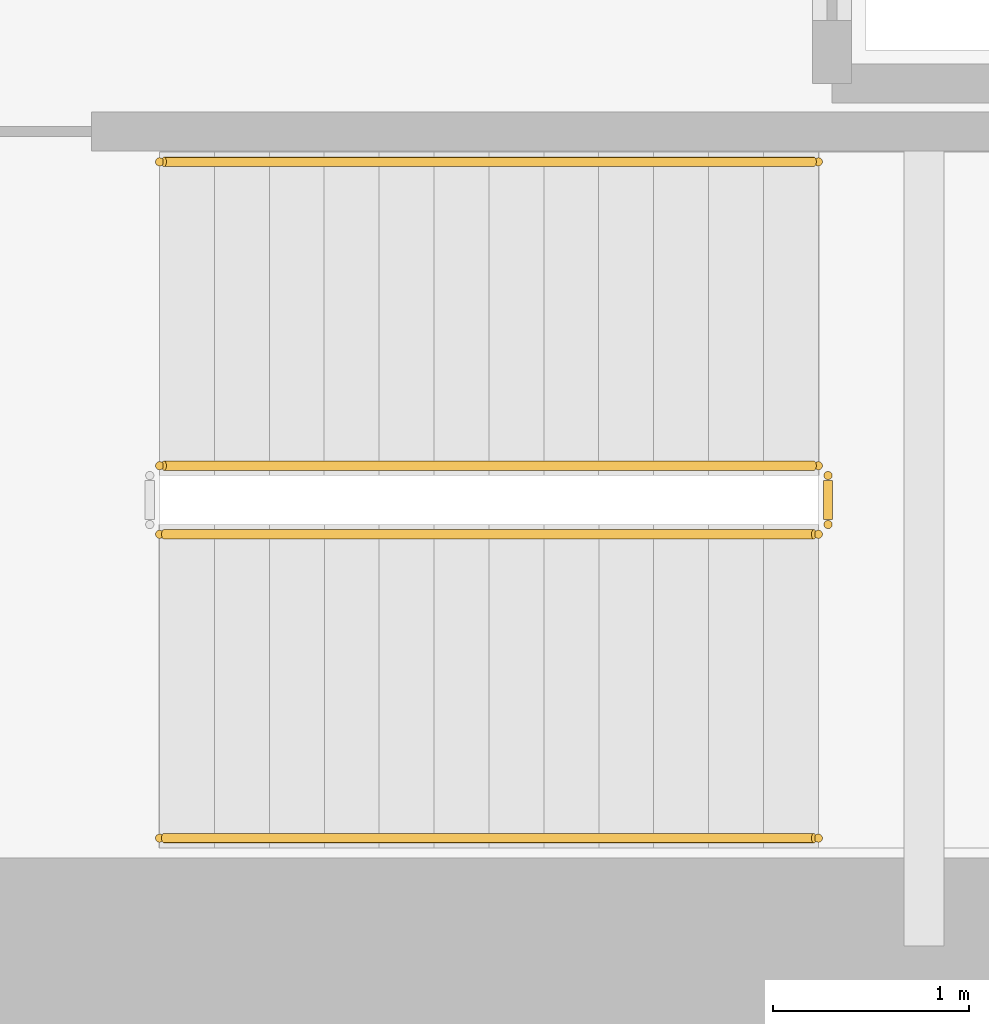
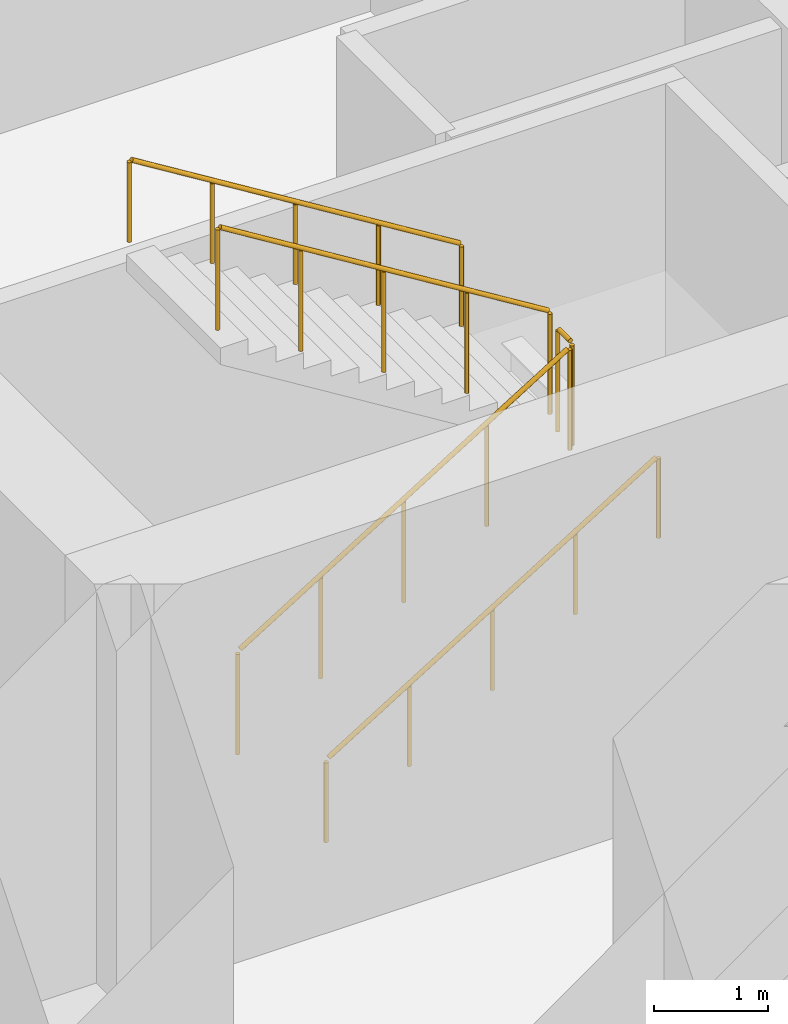
# One storey, part 17 of 18: 5 railings.
"""IFC4 building model written with IfcOpenShell, lengths in metres."""

from ifc_helpers import new_model, si_unit, direction, frame, origin, origin_2d, place, context, subcontext, project, spatial, circle, extrude, source, transform, mapped, material, layer, layer_set, type_object, element, save


model = new_model("IFC4")

# Units and contexts
model_context = context("Model", 3, precision=1e-05, world=origin(), true_north=direction((0.0, 1.0)))
body_context = subcontext(model_context, "Body", "Model", "MODEL_VIEW")
ifc_project = project(units=[si_unit("LENGTHUNIT", "METRE"), si_unit("AREAUNIT", "SQUARE_METRE"), si_unit("VOLUMEUNIT", "CUBIC_METRE"), si_unit("PLANEANGLEUNIT", "RADIAN"), si_unit("MASSUNIT", "GRAM", prefix="KILO")], contexts=[model_context])

# Site, building, storey
site_placement = place(None, origin())
site = spatial("IfcSite", under=ifc_project, at=site_placement, CompositionType="ELEMENT")
building_placement = place(site_placement, origin())
building = spatial("IfcBuilding", under=site, at=building_placement, Name="Kharzan Plaza Tower", CompositionType="ELEMENT")
storey_placement = place(building_placement, frame((0.0, 0.0, -4.5)))
storey = spatial("IfcBuildingStorey", under=building, at=storey_placement, Name="B01", CompositionType="ELEMENT", Elevation=-4.5)

# Railings
ifc_material_1 = material(Name="Painted Galvanized Architectural Steel", Category="steel")
ifc_layer_1 = layer(ifc_material_1, 0.074951171875)
ifc_layer_set_1 = layer_set([ifc_layer_1], Name="Painted Galvanized Architectural Steel")
railing_type_1 = type_object("IfcRailingType", Name="RL-GUARD-1120", PredefinedType="BALUSTRADE", material=ifc_layer_set_1)
shared_shape_1 = source(origin(), body_context, "Body", "SweptSolid", [
    extrude(circle(Radius=0.02392578125, at=origin_2d()), frame((0.0224609375, 0.0, 1.10986328125), z_axis=(0.850623216509, 0.0, 0.525775754039), x_axis=(0.0, 1.0, 0.0)), (0.0, 0.0, 1.0), 3.897216796875),
    extrude(circle(Radius=0.02099609375, at=origin_2d()), origin(), (0.0, 0.0, 1.0), 1.072021484375),
    extrude(circle(Radius=0.02099609375, at=origin_2d()), frame((0.840087890625, 0.0, 0.519287109375)), (0.0, 0.0, 1.0), 1.072021484375),
    extrude(circle(Radius=0.02099609375, at=origin_2d()), frame((1.68017578125, 0.0, 1.03857421875)), (0.0, 0.0, 1.0), 1.072021484375),
    extrude(circle(Radius=0.02099609375, at=origin_2d()), frame((2.52001953125, 0.0, 1.5576171875)), (0.0, 0.0, 1.0), 1.072021484375),
    extrude(circle(Radius=0.02099609375, at=origin_2d()), frame((3.360107421875, 0.0, 2.076904296875)), (0.0, 0.0, 1.0), 1.072021484375),
])
railing_1_placement = place(storey_placement, frame((38.25, 6.60009765625, 0.173095703125)))
element("IfcRailing", 1, at=railing_1_placement, inside=storey, type_object=railing_type_1, Name="B01 ST-3 stair guard 1", PredefinedType="BALUSTRADE", context=body_context, shape_type="MappedRepresentation", body=[
    mapped(shared_shape_1, transform((0.0, 0.0, 0.0), x_axis=(1.0, 0.0, 0.0), y_axis=(0.0, 1.0, 0.0), z_axis=(0.0, 0.0, 1.0))),
])
shared_shape_2 = source(origin(), body_context, "Body", "SweptSolid", [
    extrude(circle(Radius=0.02392578125, at=origin_2d()), frame((0.0, 0.0263671875, 1.09619140625), z_axis=(0.0, 1.0, 0.0), x_axis=(-1.0, 0.0, 0.0)), (0.0, 0.0, 1.0), 0.197021484375),
    extrude(circle(Radius=0.02099609375, at=origin_2d()), origin(), (0.0, 0.0, 1.0), 1.072021484375),
    extrude(circle(Radius=0.02099609375, at=origin_2d()), frame((0.0, 0.25, 0.0)), (0.0, 0.0, 1.0), 1.072021484375),
])
railing_2_placement = place(storey_placement, frame((41.659912109375, 6.64990234375, 2.25)))
element("IfcRailing", 2, at=railing_2_placement, inside=storey, type_object=railing_type_1, Name="B01 ST-3 stair guard 2", PredefinedType="BALUSTRADE", context=body_context, shape_type="MappedRepresentation", body=[
    mapped(shared_shape_2, transform((0.0, 0.0, 0.0), x_axis=(1.0, 0.0, 0.0), y_axis=(0.0, 1.0, 0.0), z_axis=(0.0, 0.0, 1.0))),
])
shared_shape_3 = source(origin(), body_context, "Body", "SweptSolid", [
    extrude(circle(Radius=0.02392578125, at=origin_2d()), frame((-0.0224609375, 0.0, 1.10986328125), z_axis=(-0.850623216509, 0.0, 0.525775754039), x_axis=(0.0, -1.0, 0.0)), (0.0, 0.0, 1.0), 3.897216796875),
    extrude(circle(Radius=0.02099609375, at=origin_2d()), origin(), (0.0, 0.0, 1.0), 1.072021484375),
    extrude(circle(Radius=0.02099609375, at=origin_2d()), frame((-0.840087890625, 0.0, 0.519287109375)), (0.0, 0.0, 1.0), 1.072021484375),
    extrude(circle(Radius=0.02099609375, at=origin_2d()), frame((-1.68017578125, 0.0, 1.03857421875)), (0.0, 0.0, 1.0), 1.072021484375),
    extrude(circle(Radius=0.02099609375, at=origin_2d()), frame((-2.52001953125, 0.0, 1.5576171875)), (0.0, 0.0, 1.0), 1.072021484375),
    extrude(circle(Radius=0.02099609375, at=origin_2d()), frame((-3.360107421875, 0.0, 2.076904296875)), (0.0, 0.0, 1.0), 1.072021484375),
])
railing_3_placement = place(storey_placement, frame((41.610107421875, 6.949951171875, 2.423095703125)))
element("IfcRailing", 3, at=railing_3_placement, inside=storey, type_object=railing_type_1, Name="B01 ST-3 stair guard 3", PredefinedType="BALUSTRADE", context=body_context, shape_type="MappedRepresentation", body=[
    mapped(shared_shape_3, transform((0.0, 0.0, 0.0), x_axis=(1.0, 0.0, 0.0), y_axis=(0.0, 1.0, 0.0), z_axis=(0.0, 0.0, 1.0))),
])
ifc_material_2 = material(Name="Brushed Stainless Steel", Category="steel")
ifc_layer_2 = layer(ifc_material_2, 0.050048828125)
ifc_layer_set_2 = layer_set([ifc_layer_2], Name="Brushed Stainless Steel")
railing_type_2 = type_object("IfcRailingType", Name="RL-STAIR-HR920", PredefinedType="HANDRAIL", material=ifc_layer_set_2)
shared_shape_4 = source(origin(), body_context, "Body", "SweptSolid", [
    extrude(circle(Radius=0.02392578125, at=origin_2d()), frame((0.0224609375, 0.0, 0.8896484375), z_axis=(0.850623216509, 0.0, 0.525775754039), x_axis=(0.0, 1.0, 0.0)), (0.0, 0.0, 1.0), 3.897216796875),
    extrude(circle(Radius=0.02099609375, at=origin_2d()), origin(), (0.0, 0.0, 1.0), 0.851806640625),
    extrude(circle(Radius=0.02099609375, at=origin_2d()), frame((0.840087890625, 0.0, 0.519287109375)), (0.0, 0.0, 1.0), 0.851806640625),
    extrude(circle(Radius=0.02099609375, at=origin_2d()), frame((1.68017578125, 0.0, 1.03857421875)), (0.0, 0.0, 1.0), 0.851806640625),
    extrude(circle(Radius=0.02099609375, at=origin_2d()), frame((2.52001953125, 0.0, 1.5576171875)), (0.0, 0.0, 1.0), 0.851806640625),
    extrude(circle(Radius=0.02099609375, at=origin_2d()), frame((3.360107421875, 0.0, 2.076904296875)), (0.0, 0.0, 1.0), 0.851806640625),
])
railing_4_placement = place(storey_placement, frame((38.25, 5.050048828125, 0.173095703125)))
element("IfcRailing", 4, at=railing_4_placement, inside=storey, type_object=railing_type_2, Name="B01 ST-3 stair handrail 1", PredefinedType="HANDRAIL", context=body_context, shape_type="MappedRepresentation", body=[
    mapped(shared_shape_4, transform((0.0, 0.0, 0.0), x_axis=(1.0, 0.0, 0.0), y_axis=(0.0, 1.0, 0.0), z_axis=(0.0, 0.0, 1.0))),
])
shared_shape_5 = source(origin(), body_context, "Body", "SweptSolid", [
    extrude(circle(Radius=0.02392578125, at=origin_2d()), frame((-0.0224609375, 0.0, 0.8896484375), z_axis=(-0.850623216509, 0.0, 0.525775754039), x_axis=(0.0, -1.0, 0.0)), (0.0, 0.0, 1.0), 3.897216796875),
    extrude(circle(Radius=0.02099609375, at=origin_2d()), origin(), (0.0, 0.0, 1.0), 0.851806640625),
    extrude(circle(Radius=0.02099609375, at=origin_2d()), frame((-0.840087890625, 0.0, 0.519287109375)), (0.0, 0.0, 1.0), 0.851806640625),
    extrude(circle(Radius=0.02099609375, at=origin_2d()), frame((-1.68017578125, 0.0, 1.03857421875)), (0.0, 0.0, 1.0), 0.851806640625),
    extrude(circle(Radius=0.02099609375, at=origin_2d()), frame((-2.52001953125, 0.0, 1.5576171875)), (0.0, 0.0, 1.0), 0.851806640625),
    extrude(circle(Radius=0.02099609375, at=origin_2d()), frame((-3.360107421875, 0.0, 2.076904296875)), (0.0, 0.0, 1.0), 0.851806640625),
])
railing_5_placement = place(storey_placement, frame((41.610107421875, 8.5, 2.423095703125)))
element("IfcRailing", 5, at=railing_5_placement, inside=storey, type_object=railing_type_2, Name="B01 ST-3 stair handrail 2", PredefinedType="HANDRAIL", context=body_context, shape_type="MappedRepresentation", body=[
    mapped(shared_shape_5, transform((0.0, 0.0, 0.0), x_axis=(1.0, 0.0, 0.0), y_axis=(0.0, 1.0, 0.0), z_axis=(0.0, 0.0, 1.0))),
])

save(model, "model.ifc")
